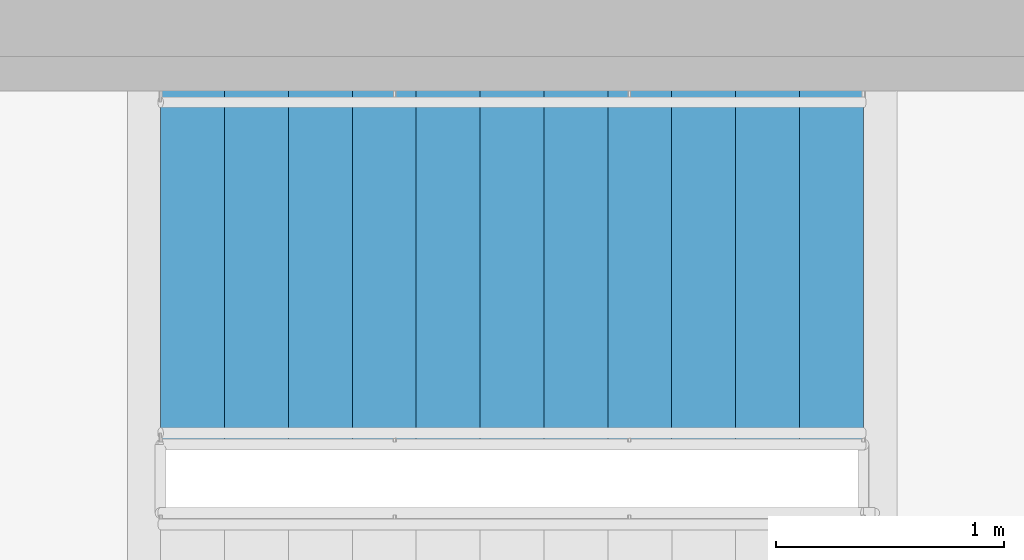
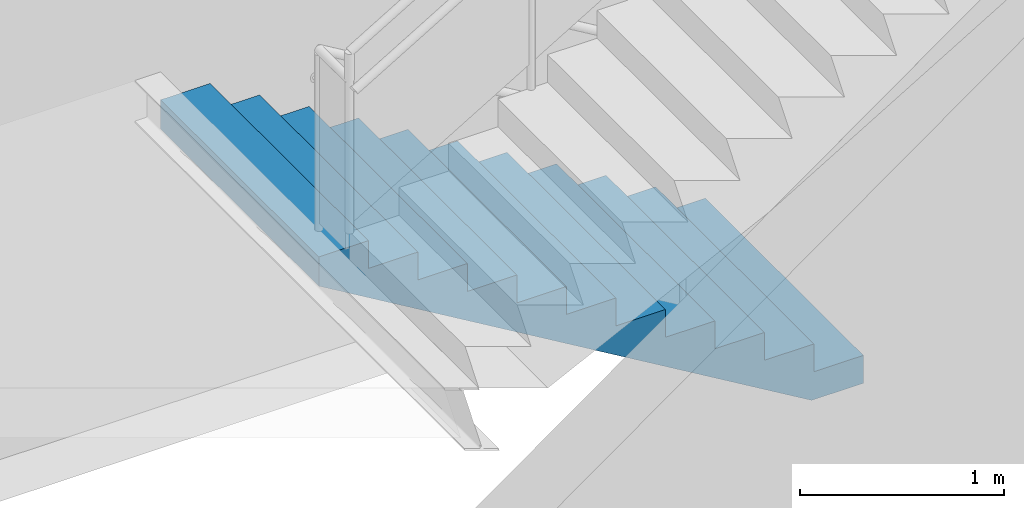
# One storey, part 13 of 16: 1 stair flight, 1 element without a shape of its own.
"""IFC4 building model written with IfcOpenShell, lengths in metres."""

from ifc_helpers import new_model, si_unit, direction, frame, origin, place, context, subcontext, project, spatial, polyline, outline, extrude, material, type_object, element, aggregate, save


model = new_model("IFC4")

# Units and contexts
model_context = context("Model", 3, precision=1e-05, world=origin(), true_north=direction((0.0, 1.0)))
body_context = subcontext(model_context, "Body", "Model", "MODEL_VIEW")
ifc_project = project(units=[si_unit("LENGTHUNIT", "METRE"), si_unit("AREAUNIT", "SQUARE_METRE"), si_unit("VOLUMEUNIT", "CUBIC_METRE"), si_unit("PLANEANGLEUNIT", "RADIAN"), si_unit("MASSUNIT", "GRAM", prefix="KILO")], contexts=[model_context])

# Site, building, storey
site_placement = place(None, origin())
site = spatial("IfcSite", under=ifc_project, at=site_placement, CompositionType="ELEMENT")
building_placement = place(site_placement, origin())
building = spatial("IfcBuilding", under=site, at=building_placement, Name="Namib Vertical Campus", CompositionType="ELEMENT")
storey_placement = place(building_placement, frame((0.0, 0.0, 113.0)))
storey = spatial("IfcBuildingStorey", under=building, at=storey_placement, Name="L26", CompositionType="ELEMENT", Elevation=113.0)

# Stair, stair flight
ifc_material_1 = material(Name="Concrete C40/50 precast", Category="concrete")
stair_type = type_object("IfcStairType", Name="Exit stair 4000 rise 24 risers 3400 wide", PredefinedType="HALF_TURN_STAIR", material=ifc_material_1)
stair_placement = place(storey_placement, origin())
stair = element("IfcStair", 1, at=stair_placement, inside=storey, type_object=stair_type, Name="Exit stair B-S3 L26", PredefinedType="HALF_TURN_STAIR")
ifc_material_2 = material(Name="Concrete C40/50 precast", Category="concrete")
stair_flight_type = type_object("IfcStairFlightType", Name="Stair flight 12 risers 167 1550 wide", PredefinedType="STRAIGHT", material=ifc_material_2)
stair_flight_placement = place(storey_placement, frame((82.949951171875, 39.22509765625, 0.0), z_axis=(0.0, 0.0, 1.0), x_axis=(-1.0, 0.0, 0.0)))
stair_flight = element("IfcStairFlight", 2, at=stair_flight_placement, type_object=stair_flight_type, Name="B-S3 flight 1", NumberOfRisers=12, NumberOfTreads=11, PredefinedType="STRAIGHT", RiserHeight=0.166666667, TreadLength=0.28, context=body_context, shape_type="SweptSolid", body=[
    extrude(outline(polyline([(0.0, 0.0), (0.0, 0.166748046875), (0.280029296875, 0.166748046875), (0.280029296875, 0.333251953125), (0.56005859375, 0.333251953125), (0.56005859375, 0.5), (0.840087890625, 0.5), (0.840087890625, 0.666748046875), (1.1201171875, 0.666748046875), (1.1201171875, 0.833251953125), (1.39990234375, 0.833251953125), (1.39990234375, 1.0), (1.679931640625, 1.0), (1.679931640625, 1.166748046875), (1.9599609375, 1.166748046875), (1.9599609375, 1.333251953125), (2.239990234375, 1.333251953125), (2.239990234375, 1.5), (2.52001953125, 1.5), (2.52001953125, 1.666748046875), (2.800048828125, 1.666748046875), (2.800048828125, 1.833251953125), (3.080078125, 1.833251953125), (3.080078125, 2.0), (3.080078125, 1.658935546875), (0.29296875, 0.0), (0.0, 0.0)])), frame((0.0, 0.77490234375, 0.0), z_axis=(0.0, -1.0, 0.0), x_axis=(1.0, 0.0, 0.0)), (0.0, 0.0, 1.0), 1.550048828125),
])
aggregate(stair, [stair_flight])

save(model, "model.ifc")
